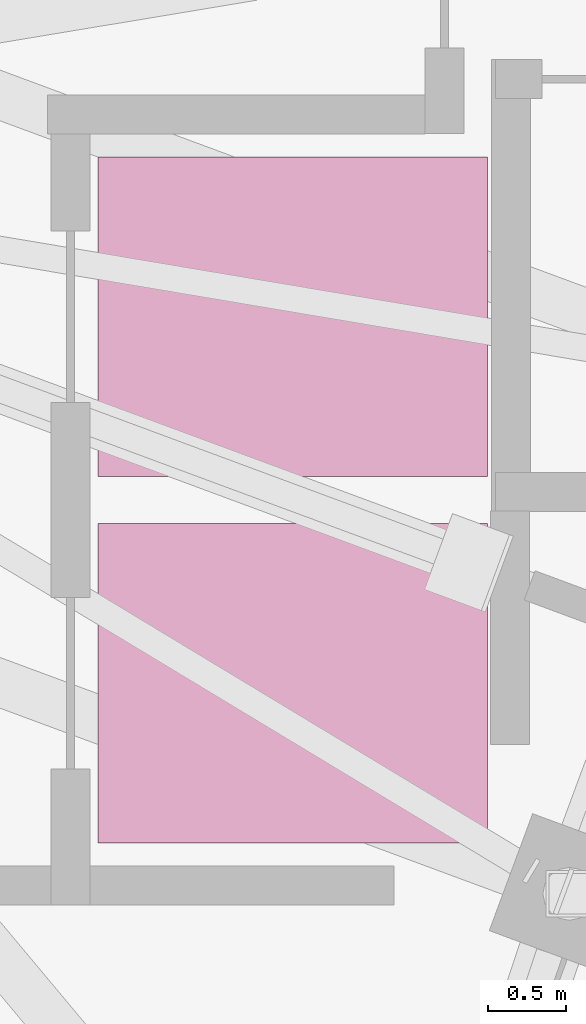
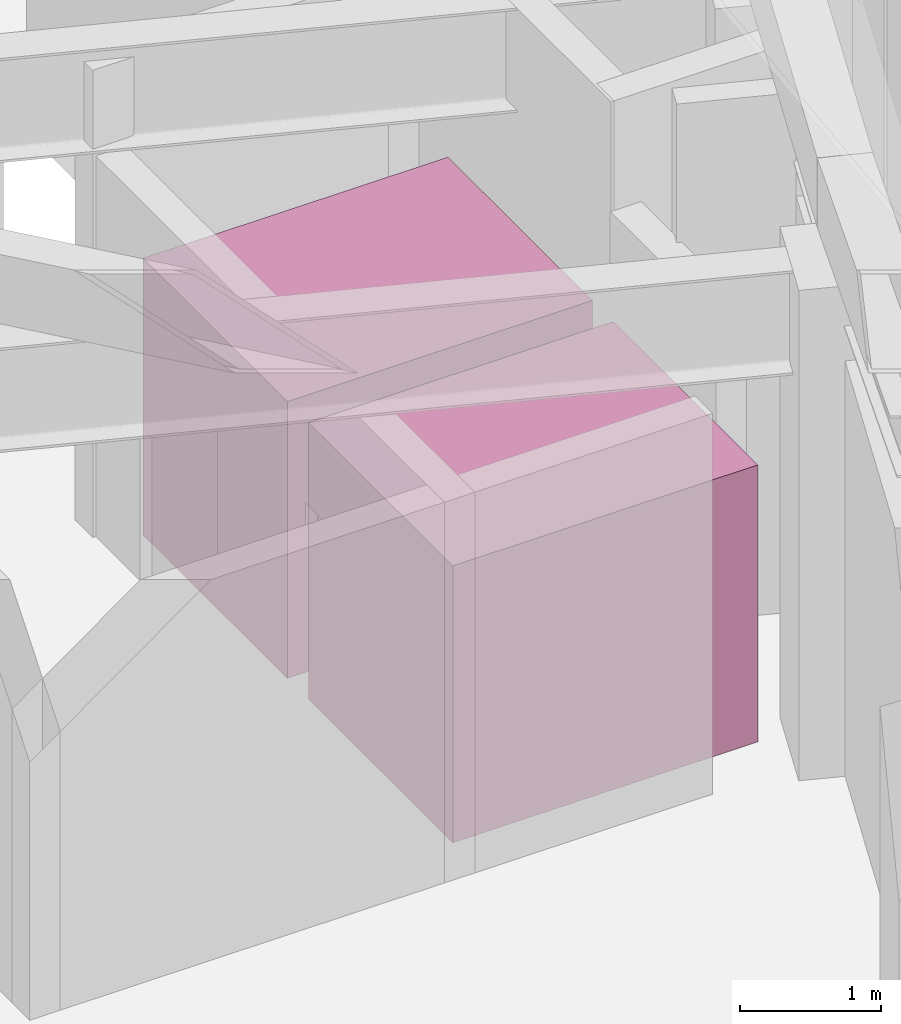
# One storey, part 14 of 14: 2 transport elements.
"""IFC4 building model written with IfcOpenShell, lengths in metres."""

from ifc_helpers import new_model, si_unit, direction, frame, origin, origin_2d, place, context, subcontext, project, spatial, rectangle, extrude, material, type_object, element, save


model = new_model("IFC4")

# Units and contexts
model_context = context("Model", 3, precision=1e-05, world=origin(), true_north=direction((0.0, 1.0)))
body_context = subcontext(model_context, "Body", "Model", "MODEL_VIEW")
ifc_project = project(units=[si_unit("LENGTHUNIT", "METRE"), si_unit("AREAUNIT", "SQUARE_METRE"), si_unit("VOLUMEUNIT", "CUBIC_METRE"), si_unit("PLANEANGLEUNIT", "RADIAN"), si_unit("MASSUNIT", "GRAM", prefix="KILO")], contexts=[model_context])

# Site, building, storey
site_placement = place(None, origin())
site = spatial("IfcSite", under=ifc_project, at=site_placement, CompositionType="ELEMENT")
building_placement = place(site_placement, origin())
building = spatial("IfcBuilding", under=site, at=building_placement, Name="Cantera Rosa Tower", CompositionType="ELEMENT")
storey_placement = place(building_placement, frame((0.0, 0.0, 374.199951171875)))
storey = spatial("IfcBuildingStorey", under=building, at=storey_placement, Name="L84", CompositionType="ELEMENT", Elevation=374.199951171875)

# Transport elements
ifc_material = material(Name="Stainless steel", Category="steel")
transport_element_type = type_object("IfcTransportElementType", Name="LIFT FIRE 1600 KG FIRE", PredefinedType="ELEVATOR", material=ifc_material)
for number, where, z_axis, x_axis, name in (
    (1, (6.300048828125, -3.52490234375, 0.0), (0.0, 0.0, 1.0), (1.0, 0.0, 0.0), "LIFT FF1"),
    (2, (6.300048828125, -1.175048828125, 0.0), (0.0, 0.0, 1.0), (1.0, 0.0, 0.0), "LIFT FF2"),
):
    element("IfcTransportElement", number, at=place(storey_placement, frame(where, z_axis=z_axis, x_axis=x_axis)), inside=storey, type_object=transport_element_type, Name=name, PredefinedType="ELEVATOR", context=body_context, shape_type="SweptSolid", body=[
        extrude(rectangle(XDim=2.5, YDim=2.050048828125, at=origin_2d()), origin(), (0.0, 0.0, 1.0), 2.39990234375),
    ])

save(model, "model.ifc")
